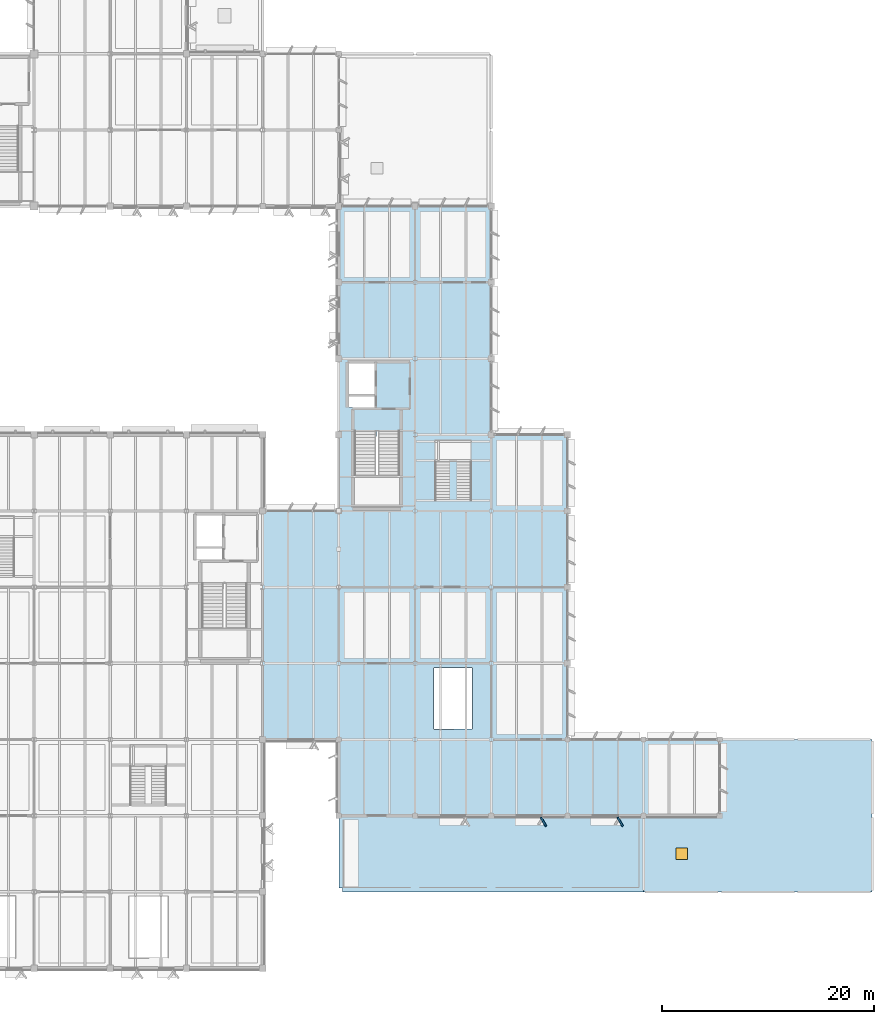
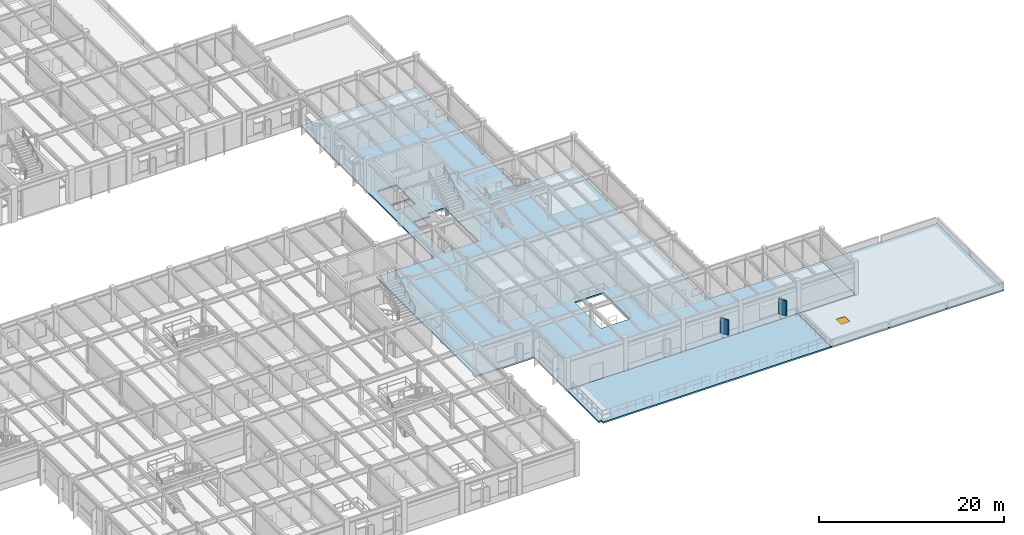
# One storey, part 29 of 92: 3 slabs, 2 plates, 1 door, 1 opening.
"""IFC4 building model written with IfcOpenShell, lengths in metres."""

import ifcopenshell
import ifcopenshell.guid

model = None  # the IFC model being written
_history = None  # IfcOwnerHistory: only IFC2X3 demands one
_inside = {}  # id of a spatial element -> (the spatial element, [elements in it])
_under = {}  # id of a project, library or spatial element -> (it, [spatial elements below it])
_declared = {}  # id of a project -> (the project, [libraries it declares])
_typed = {}  # id of a type object -> (the type object, [elements of that type])
_made_of = {}  # id of a material, layer set ... -> (it, [elements and type objects made of it])


def new_model(schema):
    """Start an empty IFC model of exactly this schema.

    Asked for "IFC4X3", IfcOpenShell would pick the latest addendum, in which some entities
    have other attributes; the version numbers below select the first issue.
    IFC2X3 requires an IfcOwnerHistory on every rooted entity: one is made here for all.
    """
    global model, _history
    if schema == "IFC4X3":
        model = ifcopenshell.file(schema_version=(4, 3, 0, 0))
    else:
        model = ifcopenshell.file(schema=schema)
    _inside.clear()
    _under.clear()
    _declared.clear()
    _typed.clear()
    _made_of.clear()
    _history = None
    if model.schema == "IFC2X3":
        org = make("IfcOrganization", Name="unknown")
        user = make(
            "IfcPersonAndOrganization",
            ThePerson=make("IfcPerson", FamilyName="unknown"),
            TheOrganization=org,
        )
        app = make(
            "IfcApplication",
            ApplicationDeveloper=org,
            Version="unknown",
            ApplicationFullName="unknown",
            ApplicationIdentifier="unknown",
        )
        _history = make(
            "IfcOwnerHistory",
            OwningUser=user,
            OwningApplication=app,
            ChangeAction="ADDED",
            CreationDate=0,
        )
    return model


def make(cls, **values):
    """One entity of the class cls with the attributes given. An attribute that is None is left unset."""
    return model.create_entity(
        cls, **{name: value for name, value in values.items() if value is not None}
    )


def rooted(cls, **values):
    """An entity with a GlobalId (a new one), such as an element, a storey or a relation."""
    return make(cls, GlobalId=ifcopenshell.guid.new(), OwnerHistory=_history, **values)


def si_unit(unit_type, name, prefix=None):
    """IfcSIUnit, for example si_unit("LENGTHUNIT", "METRE", prefix="MILLI")."""
    return make("IfcSIUnit", UnitType=unit_type, Prefix=prefix, Name=name)


def assignment(units):
    """IfcUnitAssignment: the units of a project."""
    return None if units is None else make("IfcUnitAssignment", Units=units)


def point(xyz):
    """IfcCartesianPoint."""
    return None if xyz is None else make("IfcCartesianPoint", Coordinates=xyz)


def direction(xyz):
    """IfcDirection."""
    return None if xyz is None else make("IfcDirection", DirectionRatios=xyz)


def frame(location, z_axis=None, x_axis=None):
    """IfcAxis2Placement3D, a coordinate frame: its origin and axes. An axis left out is left unset."""
    return make(
        "IfcAxis2Placement3D",
        Location=point(location),
        Axis=direction(z_axis),
        RefDirection=direction(x_axis),
    )


def frame_2d(location, x_axis=None):
    """IfcAxis2Placement2D, a coordinate frame in the plane: its origin and x axis."""
    return make(
        "IfcAxis2Placement2D", Location=point(location), RefDirection=direction(x_axis)
    )


def origin():
    """The frame at (0, 0, 0) with its axes left unset."""
    return frame((0.0, 0.0, 0.0))


def origin_2d():
    """The frame at (0, 0) in the plane with its x axis left unset."""
    return frame_2d((0.0, 0.0))


def place(relative_to, where):
    """IfcLocalPlacement: puts the frame where relative to a parent placement (None: the world)."""
    return make(
        "IfcLocalPlacement", PlacementRelTo=relative_to, RelativePlacement=where
    )


def context(
    kind, dimensions, precision=None, world=None, true_north=None, identifier=None
):
    """IfcGeometricRepresentationContext, for example the 3D "Model" context."""
    return make(
        "IfcGeometricRepresentationContext",
        ContextIdentifier=identifier,
        ContextType=kind,
        CoordinateSpaceDimension=dimensions,
        Precision=precision,
        WorldCoordinateSystem=world,
        TrueNorth=true_north,
    )


def subcontext(parent, identifier, kind, view, scale=None):
    """IfcGeometricRepresentationSubContext, for example "Body" below "Model"."""
    return make(
        "IfcGeometricRepresentationSubContext",
        ContextIdentifier=identifier,
        ContextType=kind,
        ParentContext=parent,
        TargetScale=scale,
        TargetView=view,
    )


def project(units=None, contexts=None):
    """IfcProject with its units and contexts."""
    return rooted(
        "IfcProject",
        Name="project",
        RepresentationContexts=contexts,
        UnitsInContext=assignment(units),
    )


def spatial(cls, under=None, at=None, **own):
    """A site, building, storey or space (cls), placed at a placement, below another one or the project."""
    s = rooted(cls, ObjectPlacement=at, **own)
    if under is not None:
        _under.setdefault(under.id(), (under, []))[1].append(s)
    return s


def polyline(points):
    """IfcPolyline through the points."""
    return make("IfcPolyline", Points=[point(p) for p in points])


def profile(cls, at=None, kind="AREA", **sizes):
    """A parametric profile (cls). Its sizes go by their IFC names, for example OverallWidth=200.0."""
    return make(cls, ProfileType=kind, Position=at, **sizes)


def rectangle(**sizes):
    """IfcRectangleProfileDef."""
    return profile("IfcRectangleProfileDef", **sizes)


def outline(outer, holes=None, kind="AREA"):
    """IfcArbitraryClosedProfileDef: a profile drawn as a closed curve; with holes, ...WithVoids."""
    if holes is None:
        return make("IfcArbitraryClosedProfileDef", ProfileType=kind, OuterCurve=outer)
    return make(
        "IfcArbitraryProfileDefWithVoids",
        ProfileType=kind,
        OuterCurve=outer,
        InnerCurves=holes,
    )


def extrude(swept, where, along, depth):
    """IfcExtrudedAreaSolid: the profile swept, set in the frame where, extruded along a direction by depth."""
    return make(
        "IfcExtrudedAreaSolid",
        SweptArea=swept,
        Position=where,
        ExtrudedDirection=direction(along),
        Depth=depth,
    )


def shape(context_of_items, identifier, shape_type, items):
    """IfcShapeRepresentation: the items that make up one representation, for example the "Body"."""
    return make(
        "IfcShapeRepresentation",
        ContextOfItems=context_of_items,
        RepresentationIdentifier=identifier,
        RepresentationType=shape_type,
        Items=items,
    )


def material(Name=None, Category=None):
    """IfcMaterial."""
    return make("IfcMaterial", Name=Name, Category=Category)


def layer(
    of_material, thickness, ventilated=None, Name=None, Category=None, Priority=None
):
    """IfcMaterialLayer: one layer of a wall or slab, of a material (None: an air gap)."""
    return make(
        "IfcMaterialLayer",
        Material=of_material,
        LayerThickness=thickness,
        IsVentilated=ventilated,
        Name=Name,
        Category=Category,
        Priority=Priority,
    )


def layer_set(layers, Name=None):
    """IfcMaterialLayerSet."""
    return make("IfcMaterialLayerSet", MaterialLayers=layers, LayerSetName=Name)


def made_of(thing, what):
    """Note that an element or type object is made of a material, layer set ...; save() writes the relation."""
    if what is not None:
        _made_of.setdefault(what.id(), (what, []))[1].append(thing)
    return thing


def type_object(cls, material=None, **own):
    """A type object (cls), such as IfcWallType, which elements share."""
    return made_of(rooted(cls, **own), material)


def element(
    cls,
    number,
    at=None,
    inside=None,
    cuts=None,
    type_object=None,
    material=None,
    context=None,
    identifier="Body",
    shape_type=None,
    held_by="IfcProductDefinitionShape",
    body=None,
    shapes=None,
    **own,
):
    """One element of the class cls, such as IfcWall. Its Tag is "e" and its number.

    at: its placement. inside: the storey or other place that contains it. cuts: it is an
    opening in that element (IfcRelVoidsElement). A single representation is given by context,
    identifier, shape_type and body (its items); several are given by shapes. held_by: the class
    of the entity that holds the representations. save() writes the other relations.
    """
    e = rooted(cls, Tag="e%d" % number, ObjectPlacement=at, **own)
    if body is not None:
        shapes = [shape(context, identifier, shape_type, body)]
    if shapes is not None:
        e.Representation = make(held_by, Representations=shapes)
    if inside is not None:
        _inside.setdefault(inside.id(), (inside, []))[1].append(e)
    if cuts is not None:
        rooted(
            "IfcRelVoidsElement", RelatingBuildingElement=cuts, RelatedOpeningElement=e
        )
    if type_object is not None:
        _typed.setdefault(type_object.id(), (type_object, []))[1].append(e)
    return made_of(e, material)


def fill(opening, filler):
    """IfcRelFillsElement: the door or window that sits in an opening."""
    return rooted(
        "IfcRelFillsElement",
        RelatingOpeningElement=opening,
        RelatedBuildingElement=filler,
    )


def aggregate(whole, parts):
    """IfcRelAggregates: a whole, such as a stair, and the parts it consists of."""
    return rooted("IfcRelAggregates", RelatingObject=whole, RelatedObjects=parts)


def save(model, path):
    """Write the relations noted so far, then the file.

    IfcRelAggregates (storeys below a building ...), IfcRelContainedInSpatialStructure (elements
    in a storey), IfcRelDefinesByType, IfcRelAssociatesMaterial and IfcRelDeclares: one each for
    every whole, place, type object, material and project.
    """
    for whole, parts in _under.values():
        aggregate(whole, parts)
    for where, things in _inside.values():
        rooted(
            "IfcRelContainedInSpatialStructure",
            RelatedElements=things,
            RelatingStructure=where,
        )
    for kind, things in _typed.values():
        rooted("IfcRelDefinesByType", RelatedObjects=things, RelatingType=kind)
    for what, things in _made_of.values():
        rooted("IfcRelAssociatesMaterial", RelatedObjects=things, RelatingMaterial=what)
    for by, libraries in _declared.values():
        rooted("IfcRelDeclares", RelatingContext=by, RelatedDefinitions=libraries)
    model.write(path)


model = new_model("IFC4")

# Units and contexts
model_context = context("Model", 3, precision=1e-05, world=origin(), true_north=direction((0.0, 1.0)))
body_context = subcontext(model_context, "Body", "Model", "MODEL_VIEW")
ifc_project = project(units=[si_unit("LENGTHUNIT", "METRE"), si_unit("AREAUNIT", "SQUARE_METRE"), si_unit("VOLUMEUNIT", "CUBIC_METRE"), si_unit("PLANEANGLEUNIT", "RADIAN"), si_unit("MASSUNIT", "GRAM", prefix="KILO")], contexts=[model_context])

# Site, building, storey
site_placement = place(None, origin())
site = spatial("IfcSite", under=ifc_project, at=site_placement, CompositionType="ELEMENT")
building_placement = place(site_placement, origin())
building = spatial("IfcBuilding", under=site, at=building_placement, Name="Sillqori Civic Hall", CompositionType="ELEMENT")
storey_placement = place(building_placement, frame((0.0, 0.0, 5.39990234375)))
storey = spatial("IfcBuildingStorey", under=building, at=storey_placement, Name="L02", CompositionType="ELEMENT", Elevation=5.39990234375)

# Plates
ifc_material_1 = material(Name="Precast concrete C40/50 (H40)", Category="concrete")
ifc_layer_1 = layer(ifc_material_1, 0.159912109375)
ifc_layer_set_1 = layer_set([ifc_layer_1], Name="Precast concrete C40/50 (H40)")
plate_type = type_object("IfcPlateType", Name="REV-SAW-200", PredefinedType="USERDEFINED", material=ifc_layer_set_1)
for number, where, z_axis, x_axis, name in (
    (1, (141.735107421875, 21.030029296875, 0.97509765625), (0.0, 0.0, 1.0), (-0.866025403784, -0.5, 0.0), "Sawtooth stone window reveal L02-19-03-S.1"),
    (2, (148.985107421875, 21.030029296875, 0.97509765625), (0.0, 0.0, 1.0), (-0.866025403784, -0.5, 0.0), "Sawtooth stone window reveal L02-20-03-S.1"),
):
    element("IfcPlate", number, at=place(storey_placement, frame(where, z_axis=z_axis, x_axis=x_axis)), inside=storey, type_object=plate_type, Name=name, ObjectType="REVEAL_PANEL", PredefinedType="USERDEFINED", context=body_context, shape_type="SweptSolid", body=[
        extrude(rectangle(XDim=0.159912109375, YDim=0.97998046875, at=origin_2d()), origin(), (0.0, 0.0, 1.0), 2.0),
    ])

# Slab
ifc_material_2 = material(Name="Concrete C30/37 (H30)", Category="concrete")
ifc_layer_2 = layer(ifc_material_2, 0.199951171875)
ifc_layer_set_2 = layer_set([ifc_layer_2], Name="Concrete C30/37 (H30)")
slab_type_1 = type_object("IfcSlabType", Name="SLB-FLR-200", PredefinedType="FLOOR", material=ifc_layer_set_2)
slab_1_placement = place(storey_placement, frame((0.0, 0.0, -0.199951171875)))
element("IfcSlab", 3, at=slab_1_placement, inside=storey, type_object=slab_type_1, Name="L02 V3 composite floor slab 3.1", PredefinedType="FLOOR", context=body_context, shape_type="SweptSolid", body=[
    extrude(outline(polyline([(115.199951171875, 36.0), (115.199951171875, 43.199951171875), (115.199951171875, 50.39990234375), (122.39990234375, 50.39990234375), (122.39990234375, 57.60009765625), (122.39990234375, 64.800048828125), (122.39990234375, 72.0), (122.39990234375, 79.199951171875), (129.60009765625, 79.199951171875), (136.800048828125, 79.199951171875), (136.800048828125, 72.0), (136.800048828125, 64.800048828125), (136.800048828125, 57.60009765625), (144.0, 57.60009765625), (144.0, 50.39990234375), (144.0, 43.199951171875), (144.0, 36.0), (144.0, 28.800048828125), (151.199951171875, 28.800048828125), (158.39990234375, 28.800048828125), (158.39990234375, 21.60009765625), (151.199951171875, 21.60009765625), (144.0, 21.60009765625), (136.800048828125, 21.60009765625), (129.60009765625, 21.60009765625), (122.39990234375, 21.60009765625), (122.39990234375, 28.800048828125), (115.199951171875, 28.800048828125), (115.199951171875, 36.0)]), holes=[polyline([(135.0, 29.800048828125), (135.0, 35.550048828125), (131.39990234375, 35.550048828125), (131.39990234375, 29.800048828125), (135.0, 29.800048828125)]), polyline([(125.9599609375, 57.419921875), (123.860107421875, 57.419921875), (123.860107421875, 50.75), (128.139892578125, 50.75), (128.139892578125, 57.969970703125), (125.9599609375, 57.969970703125), (125.9599609375, 57.419921875)]), polyline([(125.75, 60.199951171875), (125.75, 61.300048828125), (123.35009765625, 61.300048828125), (123.35009765625, 60.199951171875), (125.75, 60.199951171875)]), polyline([(125.75, 61.449951171875), (125.75, 64.35009765625), (123.35009765625, 64.35009765625), (123.35009765625, 61.449951171875), (125.75, 61.449951171875)])]), origin(), (0.0, 0.0, 1.0), 0.199951171875),
])

# Slab, opening, door
ifc_layer_3 = layer(ifc_material_2, 0.199951171875)
ifc_layer_set_3 = layer_set([ifc_layer_3], Name="Concrete C30/37 (H30)")
slab_type_2 = type_object("IfcSlabType", Name="SLB-ROOF-200", PredefinedType="ROOF", material=ifc_layer_set_3)
slab_2_placement = place(storey_placement, frame((0.0, 0.0, -0.199951171875)))
slab_2 = element("IfcSlab", 4, at=slab_2_placement, inside=storey, type_object=slab_type_2, Name="L02 flat structural roof over L01 3", PredefinedType="ROOF", context=body_context, shape_type="SweptSolid", body=[
    extrude(outline(polyline([(165.60009765625, 28.800048828125), (172.800048828125, 28.800048828125), (172.800048828125, 21.60009765625), (172.800048828125, 14.39990234375), (165.60009765625, 14.39990234375), (158.39990234375, 14.39990234375), (151.199951171875, 14.39990234375), (151.199951171875, 21.60009765625), (158.39990234375, 21.60009765625), (158.39990234375, 28.800048828125), (165.60009765625, 28.800048828125)]), holes=[polyline([(154.25, 17.449951171875), (154.25, 18.550048828125), (155.35009765625, 18.550048828125), (155.35009765625, 17.449951171875), (154.25, 17.449951171875)])]), origin(), (0.0, 0.0, 1.0), 0.199951171875),
])
opening_placement = place(slab_2_placement, frame((154.800048828125, 18.0, 0.0)))
opening = element("IfcOpeningElement", 5, at=opening_placement, cuts=slab_2, Name="Opening TH-01", PredefinedType="OPENING", context=body_context, shape_type="SweptSolid", body=[
    extrude(rectangle(XDim=1.10009765625, YDim=1.10009765625, at=origin_2d()), frame((0.0, 0.0, -0.010009765625)), (0.0, 0.0, 1.0), 0.219970703125),
])
ifc_material_3 = material(Name="Galvanized Insulated Steel", Category="steel")
door_type = type_object("IfcDoorType", Name="TRP-ROOF-110X110", OperationType="NOTDEFINED", PredefinedType="TRAPDOOR", material=ifc_material_3)
door_placement = place(opening_placement, frame((0.0, 0.0, 0.14990234375)))
door = element("IfcDoor", 6, at=door_placement, inside=storey, type_object=door_type, Name="L02 maintenance roof access hatch 03", OperationType="SINGLE_SWING_LEFT", OverallHeight=1.10009765625, OverallWidth=1.10009765625, PredefinedType="TRAPDOOR", context=body_context, shape_type="SweptSolid", body=[
    extrude(rectangle(XDim=1.10009765625, YDim=1.10009765625, at=origin_2d()), origin(), (0.0, 0.0, 1.0), 0.050048828125),
])
fill(opening, door)

# Slab
ifc_material_4 = material(Name="Concrete C35/45 (H35)", Category="concrete")
ifc_layer_4 = layer(ifc_material_4, 0.199951171875)
ifc_layer_set_4 = layer_set([ifc_layer_4], Name="Concrete C35/45 (H35)")
slab_type_3 = type_object("IfcSlabType", Name="SLB-TER-200", PredefinedType="FLOOR", material=ifc_layer_set_4)
slab_3_placement = place(storey_placement, frame((0.0, 0.0, -0.199951171875)))
element("IfcSlab", 7, at=slab_3_placement, inside=storey, type_object=slab_type_3, Name="Library South Reading Terrace", PredefinedType="FLOOR", context=body_context, shape_type="SweptSolid", body=[
    extrude(outline(polyline([(122.39990234375, 21.60009765625), (151.199951171875, 21.60009765625), (151.199951171875, 14.39990234375), (122.75, 14.39990234375), (122.75, 14.75), (122.39990234375, 14.75), (122.39990234375, 21.60009765625)])), origin(), (0.0, 0.0, 1.0), 0.199951171875),
])

save(model, "model.ifc")
